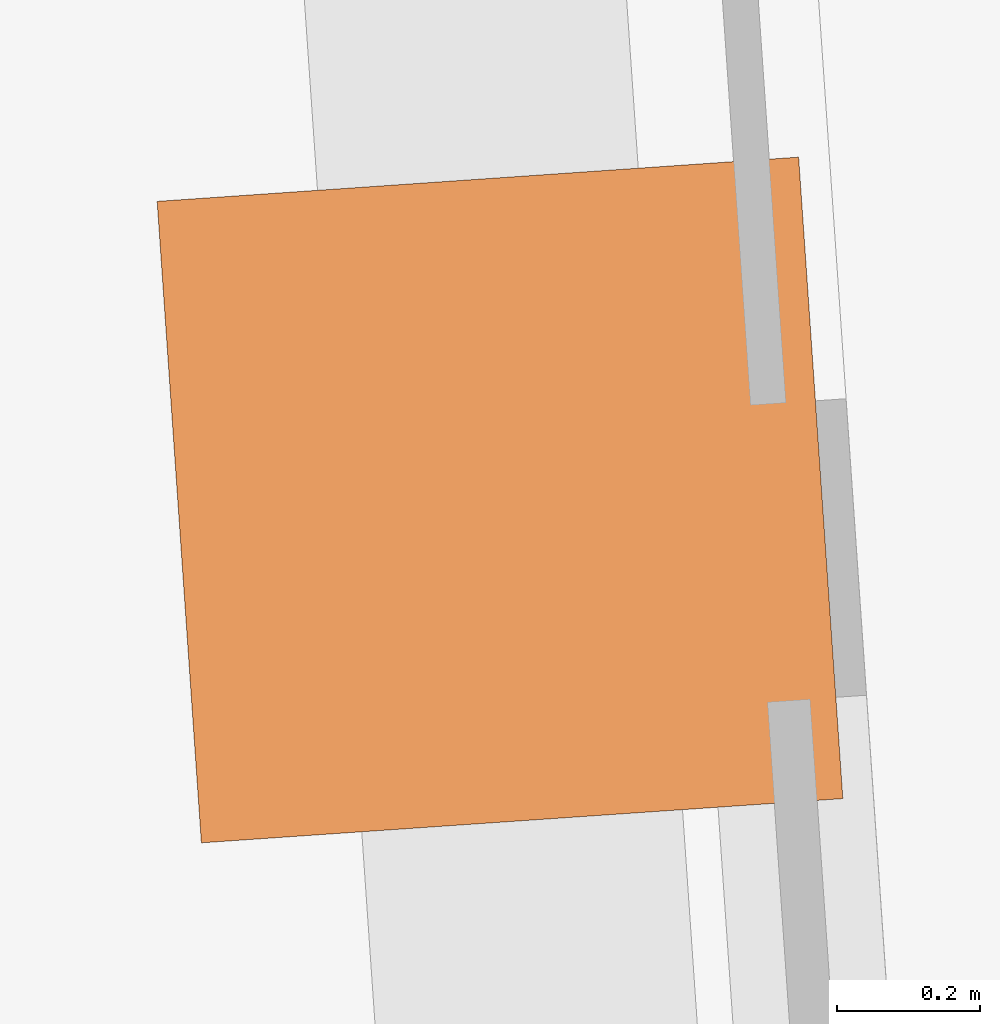
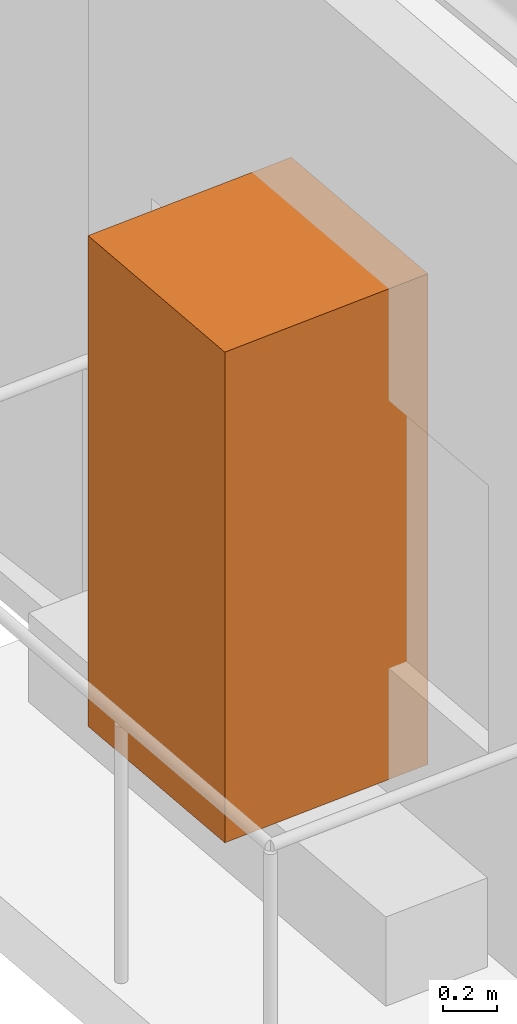
# One storey, part 10 of 10: 1 geographic element.
"""IFC4 building model written with IfcOpenShell, lengths in metres."""

from ifc_helpers import new_model, si_unit, direction, frame, origin, origin_2d, place, context, subcontext, project, spatial, rectangle, extrude, material, type_object, element, save


model = new_model("IFC4")

# Units and contexts
model_context = context("Model", 3, precision=1e-05, world=origin(), true_north=direction((0.0, 1.0)))
body_context = subcontext(model_context, "Body", "Model", "MODEL_VIEW")
ifc_project = project(units=[si_unit("LENGTHUNIT", "METRE"), si_unit("AREAUNIT", "SQUARE_METRE"), si_unit("VOLUMEUNIT", "CUBIC_METRE"), si_unit("PLANEANGLEUNIT", "RADIAN"), si_unit("MASSUNIT", "GRAM", prefix="KILO")], contexts=[model_context])

# Site, building, storey
site_placement = place(None, origin())
site = spatial("IfcSite", under=ifc_project, at=site_placement, CompositionType="ELEMENT")
building_placement = place(site_placement, origin())
building = spatial("IfcBuilding", under=site, at=building_placement, Name="Verdant Reach Tower", CompositionType="ELEMENT")
storey_placement = place(building_placement, frame((0.0, 0.0, 214.0)))
storey = spatial("IfcBuildingStorey", under=building, at=storey_placement, Name="L49", CompositionType="ELEMENT", Elevation=214.0)

# Geographic element
ifc_material = material(Name="Planting")
geographic_element_type = type_object("IfcGeographicElementType", Name="EN-TREE", PredefinedType="USERDEFINED", material=ifc_material)
geographic_element_placement = place(storey_placement, frame((-23.9560546875, 55.1982421875, 0.39990234375), z_axis=(0.0, 0.0, 1.0), x_axis=(0.068802091615, -0.997630328423, 0.0)))
element("IfcGeographicElement", 1, at=geographic_element_placement, inside=storey, type_object=geographic_element_type, Name="Balcony tree, Yellow trumpet tree (Handroanthus albus), L49 1", ObjectType="TREE", PredefinedType="USERDEFINED", context=body_context, shape_type="SweptSolid", body=[
    extrude(rectangle(XDim=0.89990234375, YDim=0.89990234375, at=origin_2d()), origin(), (0.0, 0.0, 1.0), 2.199951171875),
])

save(model, "model.ifc")
